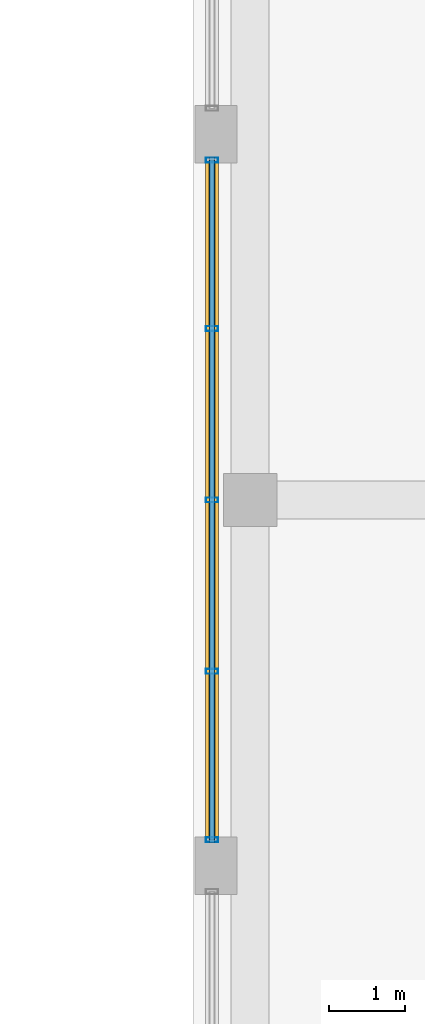
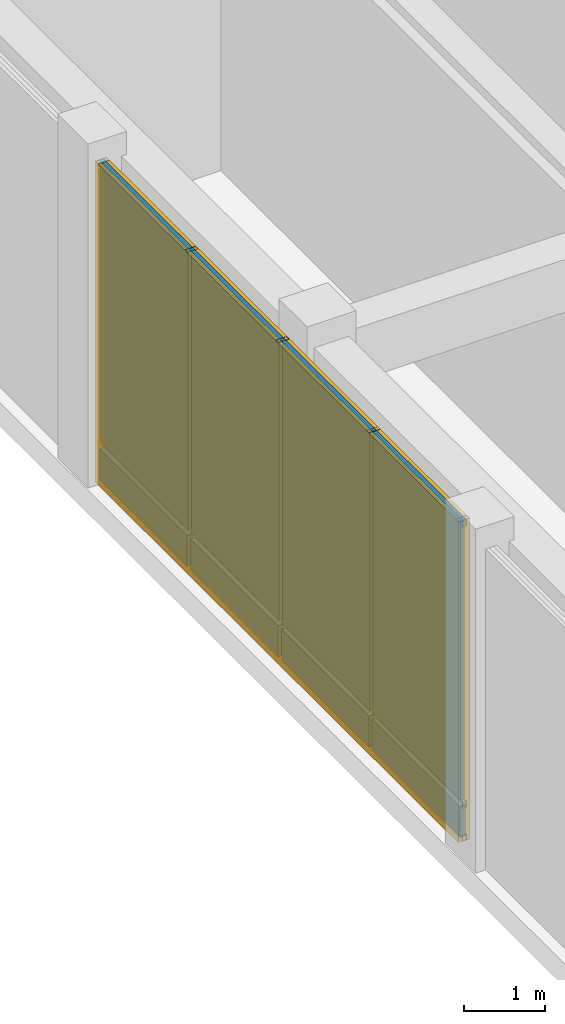
# One storey, part 16 of 22: 8 members, 8 plates, 1 curtain wall.
"""IFC4 building model written with IfcOpenShell, lengths in metres."""

from ifc_helpers import new_model, si_unit, direction, frame, frame_2d, origin, origin_2d, place, context, subcontext, project, spatial, rectangle, hollow_rectangle, extrude, material, layer, layer_set, material_profile, profile_set, type_object, element, aggregate, save


model = new_model("IFC4")

# Units and contexts
model_context = context("Model", 3, precision=1e-05, world=origin(), true_north=direction((0.0, 1.0)))
body_context = subcontext(model_context, "Body", "Model", "MODEL_VIEW")
ifc_project = project(units=[si_unit("LENGTHUNIT", "METRE"), si_unit("AREAUNIT", "SQUARE_METRE"), si_unit("VOLUMEUNIT", "CUBIC_METRE"), si_unit("PLANEANGLEUNIT", "RADIAN"), si_unit("MASSUNIT", "GRAM", prefix="KILO")], contexts=[model_context])

# Member
ifc_material_1 = material(Name="Anodized Aluminium 6063-T6", Category="aluminium")
ifc_material_profile_1 = material_profile(ifc_material_1, hollow_rectangle(XDim=0.06494140625, YDim=0.159912109375, WallThickness=0.00390625, at=origin_2d()), Name="Anodized Aluminium 6063-T6")
ifc_profile_set_1 = profile_set([ifc_material_profile_1], Name="Anodized Aluminium 6063-T6")
member_type_1 = type_object("IfcMemberType", Name="Curtain Wall Mullion 160", PredefinedType="MULLION", material=ifc_profile_set_1)
site_placement = place(None, origin())
building_placement = place(site_placement, origin())
storey_placement = place(building_placement, frame((0.0, 0.0, 5.199951171875)))
member_1_placement = place(storey_placement, frame((85.449951171875, 33.93994140625, 0.0), z_axis=(0.0, 0.0, 1.0), x_axis=(0.0, 1.0, 0.0)))
member_1 = element("IfcMember", 1, at=member_1_placement, type_object=member_type_1, Name="Curtain Wall Mullion CW-L01-LCOL-4-M01", PredefinedType="MULLION", context=body_context, shape_type="SweptSolid", body=[
    extrude(hollow_rectangle(XDim=0.06494140625, YDim=0.159912109375, WallThickness=0.00390625, at=origin_2d()), origin(), (0.0, 0.0, 1.0), 4.85009765625),
])

member_2_placement = place(storey_placement, frame((85.449951171875, 36.14990234375, 0.0), z_axis=(0.0, 0.0, 1.0), x_axis=(0.0, 1.0, 0.0)))
member_2 = element("IfcMember", 2, at=member_2_placement, type_object=member_type_1, Name="Curtain Wall Mullion CW-L01-LCOL-4-M02", PredefinedType="MULLION", context=body_context, shape_type="SweptSolid", body=[
    extrude(hollow_rectangle(XDim=0.06494140625, YDim=0.159912109375, WallThickness=0.00390625, at=origin_2d()), origin(), (0.0, 0.0, 1.0), 4.85009765625),
])

member_3_placement = place(storey_placement, frame((85.449951171875, 38.39990234375, 0.0), z_axis=(0.0, 0.0, 1.0), x_axis=(0.0, 1.0, 0.0)))
member_3 = element("IfcMember", 3, at=member_3_placement, type_object=member_type_1, Name="Curtain Wall Mullion CW-L01-LCOL-4-M03", PredefinedType="MULLION", context=body_context, shape_type="SweptSolid", body=[
    extrude(hollow_rectangle(XDim=0.06494140625, YDim=0.159912109375, WallThickness=0.00390625, at=origin_2d()), origin(), (0.0, 0.0, 1.0), 4.85009765625),
])

member_4_placement = place(storey_placement, frame((85.449951171875, 40.64990234375, 0.0), z_axis=(0.0, 0.0, 1.0), x_axis=(0.0, 1.0, 0.0)))
member_4 = element("IfcMember", 4, at=member_4_placement, type_object=member_type_1, Name="Curtain Wall Mullion CW-L01-LCOL-4-M04", PredefinedType="MULLION", context=body_context, shape_type="SweptSolid", body=[
    extrude(hollow_rectangle(XDim=0.06494140625, YDim=0.159912109375, WallThickness=0.00390625, at=origin_2d()), origin(), (0.0, 0.0, 1.0), 4.85009765625),
])

member_5_placement = place(storey_placement, frame((85.449951171875, 42.860107421875, 0.0), z_axis=(0.0, 0.0, 1.0), x_axis=(0.0, 1.0, 0.0)))
member_5 = element("IfcMember", 5, at=member_5_placement, type_object=member_type_1, Name="Curtain Wall Mullion CW-L01-LCOL-4-M05", PredefinedType="MULLION", context=body_context, shape_type="SweptSolid", body=[
    extrude(hollow_rectangle(XDim=0.06494140625, YDim=0.159912109375, WallThickness=0.00390625, at=origin_2d()), origin(), (0.0, 0.0, 1.0), 4.85009765625),
])

ifc_material_profile_2 = material_profile(ifc_material_1, hollow_rectangle(XDim=0.06005859375, YDim=0.10009765625, WallThickness=0.0029296875, at=origin_2d()), Name="Anodized Aluminium 6063-T6")
ifc_profile_set_2 = profile_set([ifc_material_profile_2], Name="Anodized Aluminium 6063-T6")
member_type_2 = type_object("IfcMemberType", Name="Curtain Wall Transom 100", PredefinedType="USERDEFINED", material=ifc_profile_set_2)
member_6_placement = place(storey_placement, frame((85.449951171875, 33.89990234375, 0.050048828125), z_axis=(0.0, 1.0, 0.0), x_axis=(-1.0, 0.0, 0.0)))
member_6 = element("IfcMember", 6, at=member_6_placement, type_object=member_type_2, Name="Curtain Wall Transom CW-L01-LCOL-4-T01", ObjectType="TRANSOM", PredefinedType="USERDEFINED", context=body_context, shape_type="SweptSolid", body=[
    extrude(hollow_rectangle(XDim=0.06005859375, YDim=0.10009765625, WallThickness=0.0029296875, at=origin_2d()), origin(), (0.0, 0.0, 1.0), 9.0),
])

member_7_placement = place(storey_placement, frame((85.449951171875, 33.89990234375, 0.550048828125), z_axis=(0.0, 1.0, 0.0), x_axis=(-1.0, 0.0, 0.0)))
member_7 = element("IfcMember", 7, at=member_7_placement, type_object=member_type_2, Name="Curtain Wall Transom CW-L01-LCOL-4-T02", ObjectType="TRANSOM", PredefinedType="USERDEFINED", context=body_context, shape_type="SweptSolid", body=[
    extrude(hollow_rectangle(XDim=0.06005859375, YDim=0.10009765625, WallThickness=0.0029296875, at=origin_2d()), origin(), (0.0, 0.0, 1.0), 9.0),
])

member_8_placement = place(storey_placement, frame((85.449951171875, 33.89990234375, 4.800048828125), z_axis=(0.0, 1.0, 0.0), x_axis=(-1.0, 0.0, 0.0)))
member_8 = element("IfcMember", 8, at=member_8_placement, type_object=member_type_2, Name="Curtain Wall Transom CW-L01-LCOL-4-T03", ObjectType="TRANSOM", PredefinedType="USERDEFINED", context=body_context, shape_type="SweptSolid", body=[
    extrude(hollow_rectangle(XDim=0.06005859375, YDim=0.10009765625, WallThickness=0.0029296875, at=origin_2d()), origin(), (0.0, 0.0, 1.0), 9.0),
])

# Plate
ifc_material_2 = material(Name="Bird-Friendly Fritted Triple Glazing", Category="glass")
ifc_layer_1 = layer(ifc_material_2, 0.052001953125, Name="Bird-Friendly Fritted Triple Glazing")
ifc_layer_set_1 = layer_set([ifc_layer_1], Name="Bird-Friendly Fritted Triple Glazing")
plate_type_1 = type_object("IfcPlateType", Name="Plate CWGlazing 52", PredefinedType="CURTAIN_PANEL", material=ifc_layer_set_1)
plate_1_placement = place(storey_placement, frame((85.449951171875, 35.02490234375, 0.58984375), z_axis=(0.0, 0.0, 1.0), x_axis=(0.0, 1.0, 0.0)))
plate_1 = element("IfcPlate", 9, at=plate_1_placement, type_object=plate_type_1, Name="Vision Glazing Panel CW-L01-LCOL-4-GL01", PredefinedType="CURTAIN_PANEL", context=body_context, shape_type="SweptSolid", body=[
    extrude(rectangle(XDim=2.169921875, YDim=0.052001953125, at=origin_2d()), origin(), (0.0, 0.0, 1.0), 4.219970703125),
])

plate_2_placement = place(storey_placement, frame((85.449951171875, 37.27490234375, 0.58984375), z_axis=(0.0, 0.0, 1.0), x_axis=(0.0, 1.0, 0.0)))
plate_2 = element("IfcPlate", 10, at=plate_2_placement, type_object=plate_type_1, Name="Vision Glazing Panel CW-L01-LCOL-4-GL02", PredefinedType="CURTAIN_PANEL", context=body_context, shape_type="SweptSolid", body=[
    extrude(rectangle(XDim=2.169921875, YDim=0.052001953125, at=origin_2d()), origin(), (0.0, 0.0, 1.0), 4.219970703125),
])

plate_3_placement = place(storey_placement, frame((85.449951171875, 39.52490234375, 0.58984375), z_axis=(0.0, 0.0, 1.0), x_axis=(0.0, 1.0, 0.0)))
plate_3 = element("IfcPlate", 11, at=plate_3_placement, type_object=plate_type_1, Name="Vision Glazing Panel CW-L01-LCOL-4-GL03", PredefinedType="CURTAIN_PANEL", context=body_context, shape_type="SweptSolid", body=[
    extrude(rectangle(XDim=2.169921875, YDim=0.052001953125, at=origin_2d()), origin(), (0.0, 0.0, 1.0), 4.219970703125),
])

plate_4_placement = place(storey_placement, frame((85.449951171875, 41.77490234375, 0.58984375), z_axis=(0.0, 0.0, 1.0), x_axis=(0.0, 1.0, 0.0)))
plate_4 = element("IfcPlate", 12, at=plate_4_placement, type_object=plate_type_1, Name="Vision Glazing Panel CW-L01-LCOL-4-GL04", PredefinedType="CURTAIN_PANEL", context=body_context, shape_type="SweptSolid", body=[
    extrude(rectangle(XDim=2.169921875, YDim=0.052001953125, at=origin_2d()), origin(), (0.0, 0.0, 1.0), 4.219970703125),
])

ifc_material_3 = material(Name="Insulated Aluminium Spandrel Panel", Category="aluminium")
ifc_layer_2 = layer(ifc_material_3, 0.080078125, Name="Insulated Aluminium Spandrel Panel")
ifc_layer_set_2 = layer_set([ifc_layer_2], Name="Insulated Aluminium Spandrel Panel")
plate_type_2 = type_object("IfcPlateType", Name="Plate CWSpandrel 80", PredefinedType="SHEET", material=ifc_layer_set_2)
plate_5_placement = place(storey_placement, frame((85.449951171875, 35.02490234375, 0.0400390625), z_axis=(0.0, 0.0, 1.0), x_axis=(0.0, 1.0, 0.0)))
plate_5 = element("IfcPlate", 13, at=plate_5_placement, type_object=plate_type_2, Name="Spandrel Panel CW-L01-LCOL-4-SP01", PredefinedType="SHEET", context=body_context, shape_type="SweptSolid", body=[
    extrude(rectangle(XDim=2.169921875, YDim=0.080078125, at=origin_2d()), origin(), (0.0, 0.0, 1.0), 0.469970703125),
])

plate_6_placement = place(storey_placement, frame((85.449951171875, 37.27490234375, 0.0400390625), z_axis=(0.0, 0.0, 1.0), x_axis=(0.0, 1.0, 0.0)))
plate_6 = element("IfcPlate", 14, at=plate_6_placement, type_object=plate_type_2, Name="Spandrel Panel CW-L01-LCOL-4-SP02", PredefinedType="SHEET", context=body_context, shape_type="SweptSolid", body=[
    extrude(rectangle(XDim=2.169921875, YDim=0.080078125, at=origin_2d()), origin(), (0.0, 0.0, 1.0), 0.469970703125),
])

plate_7_placement = place(storey_placement, frame((85.449951171875, 39.52490234375, 0.0400390625), z_axis=(0.0, 0.0, 1.0), x_axis=(0.0, 1.0, 0.0)))
plate_7 = element("IfcPlate", 15, at=plate_7_placement, type_object=plate_type_2, Name="Spandrel Panel CW-L01-LCOL-4-SP03", PredefinedType="SHEET", context=body_context, shape_type="SweptSolid", body=[
    extrude(rectangle(XDim=2.169921875, YDim=0.080078125, at=origin_2d()), origin(), (0.0, 0.0, 1.0), 0.469970703125),
])

plate_8_placement = place(storey_placement, frame((85.449951171875, 41.77490234375, 0.0400390625), z_axis=(0.0, 0.0, 1.0), x_axis=(0.0, 1.0, 0.0)))
plate_8 = element("IfcPlate", 16, at=plate_8_placement, type_object=plate_type_2, Name="Spandrel Panel CW-L01-LCOL-4-SP04", PredefinedType="SHEET", context=body_context, shape_type="SweptSolid", body=[
    extrude(rectangle(XDim=2.169921875, YDim=0.080078125, at=origin_2d()), origin(), (0.0, 0.0, 1.0), 0.469970703125),
])

# Site, building, storey
site = spatial("IfcSite", under=ifc_project, at=site_placement, CompositionType="ELEMENT")
building = spatial("IfcBuilding", under=site, at=building_placement, Name="Norrvale University Quadrangle", CompositionType="ELEMENT")
storey = spatial("IfcBuildingStorey", under=building, at=storey_placement, Name="L01", CompositionType="ELEMENT", Elevation=5.199951171875)

# Curtain wall
ifc_material_4 = material(Name="Anodized Aluminium and Triple Glazing", Category="glass")
curtain_wall_type = type_object("IfcCurtainWallType", Name="Curtain Wall System 5 Lib Colonnade", PredefinedType="NOTDEFINED", material=ifc_material_4)
curtain_wall_placement = place(storey_placement, frame((85.449951171875, 33.89990234375, 0.0), z_axis=(0.0, 0.0, 1.0), x_axis=(0.0, 1.0, 0.0)))
curtain_wall = element("IfcCurtainWall", 17, at=curtain_wall_placement, inside=storey, type_object=curtain_wall_type, Name="Curtain Wall CW System 5 Lib Colonnade CW-L01-LCOL-4", PredefinedType="NOTDEFINED", context=body_context, shape_type="SweptSolid", body=[
    extrude(rectangle(XDim=9.0, YDim=0.1650390625, at=frame_2d((4.5, 0.0))), origin(), (0.0, 0.0, 1.0), 4.85009765625),
])

aggregate(curtain_wall, [member_1, member_2, member_3, member_4, member_5, member_6, member_7, member_8, plate_5, plate_1, plate_6, plate_2, plate_7, plate_3, plate_8, plate_4])

save(model, "model.ifc")
